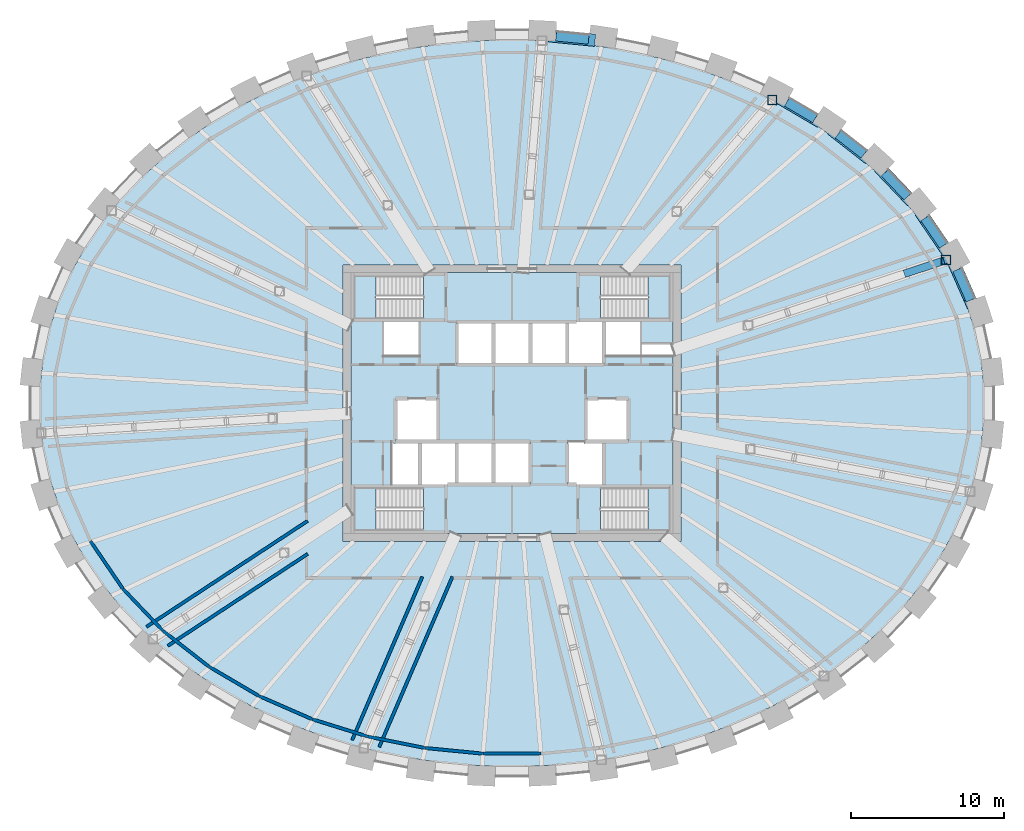
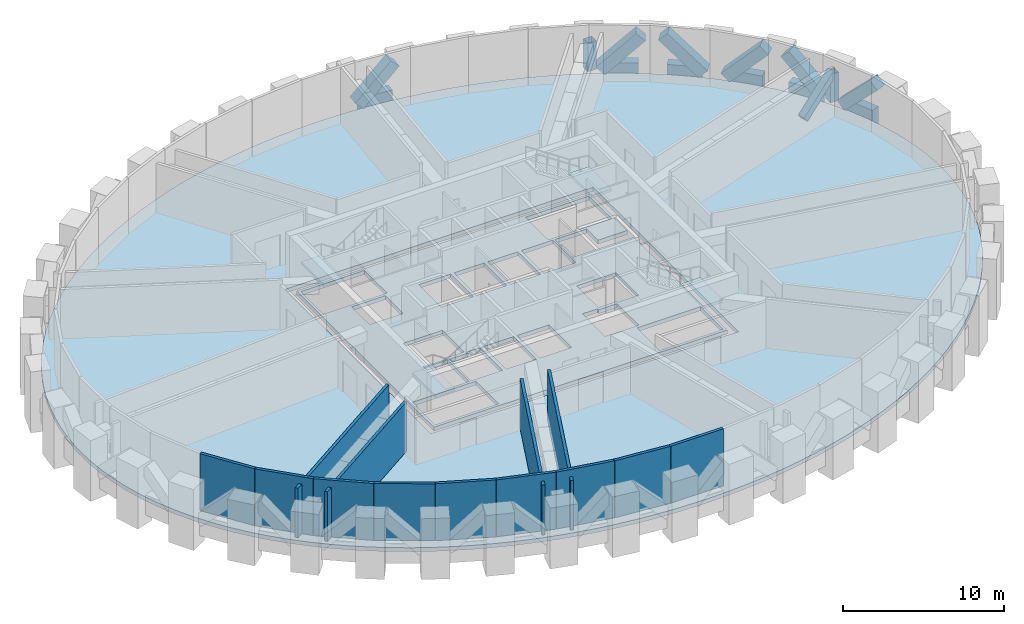
# One storey, part 6 of 12: 13 walls, 9 members, 6 beams, 6 slabs, 4 elements without a shape of their own.
"""IFC4 building model written with IfcOpenShell, lengths in metres."""

from ifc_helpers import new_model, si_unit, direction, frame, frame_2d, origin, origin_2d, place, context, subcontext, project, spatial, polyline, rectangle, hollow_rectangle, outline, extrude, source, transform, mapped, material, layer, layer_set, material_profile, profile_set, type_object, element, aggregate, save


model = new_model("IFC4")

# Units and contexts
model_context = context("Model", 3, precision=1e-05, world=origin(), true_north=direction((0.0, 1.0)))
body_context = subcontext(model_context, "Body", "Model", "MODEL_VIEW")
ifc_project = project(units=[si_unit("LENGTHUNIT", "METRE"), si_unit("AREAUNIT", "SQUARE_METRE"), si_unit("VOLUMEUNIT", "CUBIC_METRE"), si_unit("PLANEANGLEUNIT", "RADIAN"), si_unit("MASSUNIT", "GRAM", prefix="KILO")], contexts=[model_context])

# Site, building, storey
site_placement = place(None, origin())
site = spatial("IfcSite", under=ifc_project, at=site_placement, CompositionType="ELEMENT")
building_placement = place(site_placement, origin())
building = spatial("IfcBuilding", under=site, at=building_placement, Name="Embergate Tower", CompositionType="ELEMENT")
storey_placement = place(building_placement, frame((0.0, 0.0, 289.0)))
storey = spatial("IfcBuildingStorey", under=building, at=storey_placement, Name="L67", CompositionType="ELEMENT", Elevation=289.0)

# Beams
ifc_material_1 = material(Name="Concrete C50", Category="concrete")
ifc_material_profile_1 = material_profile(ifc_material_1, rectangle(XDim=0.60009765625, YDim=1.5, at=origin_2d()), Name="RC 600x1500")
ifc_profile_set_1 = profile_set([ifc_material_profile_1], Name="Concrete C50")
beam_type = type_object("IfcBeamType", Name="Spandrel beam RC 600x1500 C50", PredefinedType="BEAM", material=ifc_profile_set_1)
shared_shape_1 = source(origin(), body_context, "Body", "SweptSolid", [
    extrude(rectangle(XDim=0.60009765625, YDim=1.5, at=origin_2d()), origin(), (0.0, 0.0, 1.0), 2.1669921875),
])
beam_1_placement = place(storey_placement, frame((29.864013671875, 6.708984375, 0.0), z_axis=(-0.401994669844, 0.915642007237, 0.0), x_axis=(-0.915642007237, -0.401994669844, 0.0)))
element("IfcBeam", 1, at=beam_1_placement, inside=storey, type_object=beam_type, Name="SPN-L67-01", PredefinedType="BEAM", context=body_context, shape_type="MappedRepresentation", body=[
    mapped(shared_shape_1, transform((0.0, 0.0, 0.0))),
])
shared_shape_2 = source(origin(), body_context, "Body", "SweptSolid", [
    extrude(rectangle(XDim=0.60009765625, YDim=1.5, at=origin_2d()), origin(), (0.0, 0.0, 1.0), 2.15771484375),
])
beam_2_placement = place(storey_placement, frame((28.10498046875, 10.259033203125, 0.0), z_axis=(-0.562560674067, 0.826756002696, 0.0), x_axis=(-0.826756002696, -0.562560674067, 0.0)))
element("IfcBeam", 2, at=beam_2_placement, inside=storey, type_object=beam_type, Name="SPN-L67-02", PredefinedType="BEAM", context=body_context, shape_type="MappedRepresentation", body=[
    mapped(shared_shape_2, transform((0.0, 0.0, 0.0))),
])
shared_shape_3 = source(origin(), body_context, "Body", "SweptSolid", [
    extrude(rectangle(XDim=0.60009765625, YDim=1.5, at=origin_2d()), origin(), (0.0, 0.0, 1.0), 2.153076171875),
])
beam_3_placement = place(storey_placement, frame((25.760009765625, 13.444091796875, 0.0), z_axis=(-0.690241072709, 0.723579478389, 0.0), x_axis=(-0.723579478389, -0.690241072709, 0.0)))
element("IfcBeam", 3, at=beam_3_placement, inside=storey, type_object=beam_type, Name="SPN-L67-03", PredefinedType="BEAM", context=body_context, shape_type="MappedRepresentation", body=[
    mapped(shared_shape_3, transform((0.0, 0.0, 0.0))),
])
shared_shape_4 = source(origin(), body_context, "Body", "SweptSolid", [
    extrude(rectangle(XDim=0.60009765625, YDim=1.5, at=origin_2d()), origin(), (0.0, 0.0, 1.0), 2.14501953125),
])
beam_4_placement = place(storey_placement, frame((22.926025390625, 16.195068359375, 0.0), z_axis=(-0.788296932823, 0.615295007052, 0.0), x_axis=(-0.615295007052, -0.788296932823, 0.0)))
element("IfcBeam", 4, at=beam_4_placement, inside=storey, type_object=beam_type, Name="SPN-L67-04", PredefinedType="BEAM", context=body_context, shape_type="MappedRepresentation", body=[
    mapped(shared_shape_4, transform((0.0, 0.0, 0.0))),
])
shared_shape_5 = source(origin(), body_context, "Body", "SweptSolid", [
    extrude(rectangle(XDim=0.60009765625, YDim=1.5, at=origin_2d()), origin(), (0.0, 0.0, 1.0), 2.142822265625),
])
beam_5_placement = place(storey_placement, frame((19.74609375, 18.527099609375, 0.0), z_axis=(-0.862063064419, 0.506801019103, 0.0), x_axis=(-0.506801019103, -0.862063064419, 0.0)))
element("IfcBeam", 5, at=beam_5_placement, inside=storey, type_object=beam_type, Name="SPN-L67-05", PredefinedType="BEAM", context=body_context, shape_type="MappedRepresentation", body=[
    mapped(shared_shape_5, transform((0.0, 0.0, 0.0))),
])
shared_shape_6 = source(origin(), body_context, "Body", "SweptSolid", [
    extrude(rectangle(XDim=0.60009765625, YDim=1.5, at=origin_2d()), origin(), (0.0, 0.0, 1.0), 2.13427734375),
])
beam_6_placement = place(storey_placement, frame((4.989990234375, 23.68408203125, 0.0), z_axis=(-0.995194487499, 0.097917986356, 0.0), x_axis=(-0.097917986356, -0.995194487499, 0.0)))
element("IfcBeam", 6, at=beam_6_placement, inside=storey, type_object=beam_type, Name="SPN-L67-09", PredefinedType="BEAM", context=body_context, shape_type="MappedRepresentation", body=[
    mapped(shared_shape_6, transform((0.0, 0.0, 0.0))),
])

# Members
ifc_material_2 = material(Name="Steel Q355B", Category="steel")
ifc_material_profile_2 = material_profile(ifc_material_2, hollow_rectangle(XDim=0.60009765625, YDim=0.60009765625, WallThickness=0.028076171875, at=origin_2d()), Name="BOX 600x600x28")
ifc_profile_set_2 = profile_set([ifc_material_profile_2], Name="Steel Q355 grade B")
member_type_1 = type_object("IfcMemberType", Name="Outrigger post BOX 600x600x28", PredefinedType="POST", material=ifc_profile_set_2)
shared_shape_7 = source(origin(), body_context, "Body", "SweptSolid", [
    extrude(hollow_rectangle(XDim=0.60009765625, YDim=0.60009765625, WallThickness=0.028076171875, at=origin_2d()), origin(), (0.0, 0.0, 1.0), 2.150146484375),
])
for number, where, z_axis, x_axis, name in (
    (7, (28.280029296875, 9.325927734375, 0.39990234375), (0.0, 0.0, 1.0), (1.0, 0.0, 0.0), "OUT-L67-02-PO05"),
    (8, (16.958984375, 19.748046875, 0.39990234375), (0.0, 0.0, 1.0), (1.0, 0.0, 0.0), "OUT-L67-06-PO03"),
):
    element("IfcMember", number, at=place(storey_placement, frame(where, z_axis=z_axis, x_axis=x_axis)), inside=storey, type_object=member_type_1, Name=name, PredefinedType="POST", context=body_context, shape_type="MappedRepresentation", body=[
        mapped(shared_shape_7, transform((0.0, 0.0, 0.0))),
    ])
ifc_material_profile_3 = material_profile(ifc_material_2, hollow_rectangle(XDim=0.5, YDim=0.5, WallThickness=0.02490234375, at=origin_2d()), Name="BOX 500x500x25")
ifc_profile_set_3 = profile_set([ifc_material_profile_3], Name="Steel Q355 grade B")
member_type_2 = type_object("IfcMemberType", Name="Outrigger diagonal BOX 500x500x25", PredefinedType="BRACE", material=ifc_profile_set_3)
shared_shape_8 = source(origin(), body_context, "Body", "SweptSolid", [
    extrude(hollow_rectangle(XDim=0.5, YDim=0.5, WallThickness=0.02490234375, at=origin_2d()), origin(), (0.0, 0.0, 1.0), 3.466064453125),
])
member_1_placement = place(storey_placement, frame((25.697998046875, 8.47509765625, 0.39990234375), z_axis=(0.744936060618, 0.245471082759, 0.620333952899), x_axis=(-0.312966023422, 0.949764322442, 0.0)))
element("IfcMember", 9, at=member_1_placement, inside=storey, type_object=member_type_2, Name="OUT-L67-02-DG04", PredefinedType="BRACE", context=body_context, shape_type="MappedRepresentation", body=[
    mapped(shared_shape_8, transform((0.0, 0.0, 0.0))),
])
ifc_material_3 = material(Name="Concrete C70", Category="concrete")
ifc_material_profile_4 = material_profile(ifc_material_3, rectangle(XDim=0.800048828125, YDim=0.800048828125, at=origin_2d()), Name="RC 800x800")
ifc_profile_set_4 = profile_set([ifc_material_profile_4], Name="Concrete C70")
member_type_3 = type_object("IfcMemberType", Name="Belt ring diagonal RC 800x800", PredefinedType="BRACE", material=ifc_profile_set_4)
shared_shape_9 = source(origin(), body_context, "Body", "SweptSolid", [
    extrude(rectangle(XDim=0.800048828125, YDim=0.800048828125, at=origin_2d()), origin(), (0.0, 0.0, 1.0), 3.60302734375),
])
member_2_placement = place(storey_placement, frame((28.903076171875, 8.89892578125, 0.2060546875), z_axis=(0.282489552157, -0.643580179033, 0.711339726205), x_axis=(0.915674320086, 0.401921061322, 0.0)))
element("IfcMember", 10, at=member_2_placement, inside=storey, type_object=member_type_3, Name="BLT-L67-01", PredefinedType="BRACE", context=body_context, shape_type="MappedRepresentation", body=[
    mapped(shared_shape_9, transform((0.0, 0.0, 0.0))),
])
shared_shape_10 = source(origin(), body_context, "Body", "SweptSolid", [
    extrude(rectangle(XDim=0.800048828125, YDim=0.800048828125, at=origin_2d()), origin(), (0.0, 0.0, 1.0), 3.597900390625),
])
member_3_placement = place(storey_placement, frame((28.18408203125, 10.14306640625, 0.2900390625), z_axis=(-0.394460450142, 0.579781538966, 0.712919574951), x_axis=(-0.826787888734, -0.562513810535, 0.0)))
element("IfcMember", 11, at=member_3_placement, inside=storey, type_object=member_type_3, Name="BLT-L67-02", PredefinedType="BRACE", context=body_context, shape_type="MappedRepresentation", body=[
    mapped(shared_shape_10, transform((0.0, 0.0, 0.0))),
])
shared_shape_11 = source(origin(), body_context, "Body", "SweptSolid", [
    extrude(rectangle(XDim=0.800048828125, YDim=0.800048828125, at=origin_2d()), origin(), (0.0, 0.0, 1.0), 3.59375),
])
member_4_placement = place(storey_placement, frame((24.118896484375, 15.1640625, 0.205078125), z_axis=(0.483611560702, -0.506708615153, 0.713698982544), x_axis=(0.723401780179, 0.690427305684, 0.0)))
element("IfcMember", 12, at=member_4_placement, inside=storey, type_object=member_type_3, Name="BLT-L67-03", PredefinedType="BRACE", context=body_context, shape_type="MappedRepresentation", body=[
    mapped(shared_shape_11, transform((0.0, 0.0, 0.0))),
])
shared_shape_12 = source(origin(), body_context, "Body", "SweptSolid", [
    extrude(rectangle(XDim=0.800048828125, YDim=0.800048828125, at=origin_2d()), origin(), (0.0, 0.0, 1.0), 3.608642578125),
])
member_5_placement = place(storey_placement, frame((23.035888671875, 16.10888671875, 0.2900390625), z_axis=(-0.550851328961, 0.4300862071, 0.715254267966), x_axis=(-0.615407307632, -0.788209265178, 0.0)))
element("IfcMember", 13, at=member_5_placement, inside=storey, type_object=member_type_3, Name="BLT-L67-04", PredefinedType="BRACE", context=body_context, shape_type="MappedRepresentation", body=[
    mapped(shared_shape_12, transform((0.0, 0.0, 0.0))),
])
shared_shape_13 = source(origin(), body_context, "Body", "SweptSolid", [
    extrude(rectangle(XDim=0.800048828125, YDim=0.800048828125, at=origin_2d()), origin(), (0.0, 0.0, 1.0), 3.587158203125),
])
member_6_placement = place(storey_placement, frame((17.7060546875, 19.72607421875, 0.2041015625), z_axis=(0.602137183008, -0.354054213407, 0.715595155663), x_axis=(0.50686682448, 0.862024374505, 0.0)))
element("IfcMember", 14, at=member_6_placement, inside=storey, type_object=member_type_3, Name="BLT-L67-05", PredefinedType="BRACE", context=body_context, shape_type="MappedRepresentation", body=[
    mapped(shared_shape_13, transform((0.0, 0.0, 0.0))),
])
shared_shape_14 = source(origin(), body_context, "Body", "SweptSolid", [
    extrude(rectangle(XDim=0.800048828125, YDim=0.800048828125, at=origin_2d()), origin(), (0.0, 0.0, 1.0), 3.501708984375),
])
member_7_placement = place(storey_placement, frame((2.699951171875, 23.908935546875, 0.260009765625), z_axis=(0.693647427759, -0.068256189745, 0.717073454065), x_axis=(0.097928872709, 0.995193416322, 0.0)))
element("IfcMember", 15, at=member_7_placement, inside=storey, type_object=member_type_3, Name="BLT-L67-09", PredefinedType="BRACE", context=body_context, shape_type="MappedRepresentation", body=[
    mapped(shared_shape_14, transform((0.0, 0.0, 0.0))),
])

# Slab
ifc_layer_1 = layer(ifc_material_1, 0.300048828125)
ifc_layer_set_1 = layer_set([ifc_layer_1], Name="Concrete C50")
slab_type_1 = type_object("IfcSlabType", Name="Plant floor slab C50 300", PredefinedType="FLOOR", material=ifc_layer_set_1)
shared_shape_15 = source(origin(), body_context, "Body", "SweptSolid", [
    extrude(outline(polyline([(0.0, 0.0), (1.3017578125, 0.0), (2.601806640625, 0.04296875), (3.90283203125, 0.128173828125), (5.197998046875, 0.255126953125), (6.48486328125, 0.424072265625), (7.77392578125, 0.63818359375), (9.0498046875, 0.89404296875), (10.310791015625, 1.192138671875), (11.573974609375, 1.537109375), (12.81591796875, 1.923095703125), (14.035888671875, 2.35205078125), (15.2568359375, 2.83203125), (16.448974609375, 3.35302734375), (17.60986328125, 3.9150390625), (18.769775390625, 4.5341796875), (19.891845703125, 5.193115234375), (20.972900390625, 5.89208984375), (22.046875, 6.654052734375), (23.07177734375, 7.4541015625), (24.046875, 8.291015625), (25.00390625, 9.197998046875), (25.90185546875, 10.13916015625), (26.73779296875, 11.113037109375), (27.540771484375, 12.1591796875), (28.27197265625, 13.234130859375), (28.930908203125, 14.337158203125), (29.533935546875, 15.505126953125), (30.056884765625, 16.696044921875), (30.495849609375, 17.906005859375), (30.85888671875, 19.1640625), (31.1318359375, 20.43505859375), (31.31591796875, 21.715087890625), (31.407958984375, 23.01318359375), (31.407958984375, 24.31298828125), (31.31591796875, 25.611083984375), (31.1318359375, 26.89111328125), (30.85888671875, 28.162109375), (30.495849609375, 29.420166015625), (30.056884765625, 30.630126953125), (29.533935546875, 31.821044921875), (28.930908203125, 32.989013671875), (28.27197265625, 34.092041015625), (27.540771484375, 35.1669921875), (26.73779296875, 36.213134765625), (25.90185546875, 37.18701171875), (25.00390625, 38.128173828125), (24.046875, 39.03515625), (23.07177734375, 39.8720703125), (22.046875, 40.672119140625), (20.972900390625, 41.43408203125), (19.891845703125, 42.133056640625), (18.769775390625, 42.7919921875), (17.60986328125, 43.4111328125), (16.448974609375, 43.97314453125), (15.2568359375, 44.494140625), (14.035888671875, 44.97412109375), (12.81591796875, 45.403076171875), (11.573974609375, 45.7890625), (10.310791015625, 46.134033203125), (9.0498046875, 46.43212890625), (7.77392578125, 46.68798828125), (6.48486328125, 46.902099609375), (5.197998046875, 47.071044921875), (3.90283203125, 47.197998046875), (2.601806640625, 47.283203125), (1.3017578125, 47.326171875), (0.0, 47.326171875), (-1.300048828125, 47.283203125), (-2.60107421875, 47.197998046875), (-3.896240234375, 47.071044921875), (-5.18310546875, 46.902099609375), (-6.47216796875, 46.68798828125), (-7.748046875, 46.43212890625), (-9.009033203125, 46.134033203125), (-10.272216796875, 45.7890625), (-11.51416015625, 45.403076171875), (-12.734130859375, 44.97412109375), (-13.955078125, 44.494140625), (-15.147216796875, 43.97314453125), (-16.30810546875, 43.4111328125), (-17.468017578125, 42.7919921875), (-18.590087890625, 42.133056640625), (-19.671142578125, 41.43408203125), (-20.7451171875, 40.672119140625), (-21.77001953125, 39.8720703125), (-22.7451171875, 39.03515625), (-23.7021484375, 38.128173828125), (-24.60009765625, 37.18701171875), (-25.43603515625, 36.213134765625), (-26.239013671875, 35.1669921875), (-26.97021484375, 34.092041015625), (-27.629150390625, 32.989013671875), (-28.232177734375, 31.821044921875), (-28.755126953125, 30.630126953125), (-29.194091796875, 29.420166015625), (-29.55712890625, 28.162109375), (-29.830078125, 26.89111328125), (-30.01416015625, 25.611083984375), (-30.106201171875, 24.31298828125), (-30.106201171875, 23.01318359375), (-30.01416015625, 21.715087890625), (-29.830078125, 20.43505859375), (-29.55712890625, 19.1640625), (-29.194091796875, 17.906005859375), (-28.755126953125, 16.696044921875), (-28.232177734375, 15.505126953125), (-27.629150390625, 14.337158203125), (-26.97021484375, 13.234130859375), (-26.239013671875, 12.1591796875), (-25.43603515625, 11.113037109375), (-24.60009765625, 10.13916015625), (-23.7021484375, 9.197998046875), (-22.7451171875, 8.291015625), (-21.77001953125, 7.4541015625), (-20.7451171875, 6.654052734375), (-19.671142578125, 5.89208984375), (-18.590087890625, 5.193115234375), (-17.468017578125, 4.5341796875), (-16.30810546875, 3.9150390625), (-15.147216796875, 3.35302734375), (-13.955078125, 2.83203125), (-12.734130859375, 2.35205078125), (-11.51416015625, 1.923095703125), (-10.272216796875, 1.537109375), (-9.009033203125, 1.192138671875), (-7.748046875, 0.89404296875), (-6.47216796875, 0.63818359375), (-5.18310546875, 0.424072265625), (-3.896240234375, 0.255126953125), (-2.60107421875, 0.128173828125), (-1.300048828125, 0.04296875), (0.0, 0.0)]), holes=[polyline([(-10.34912109375, 14.6630859375), (-10.34912109375, 32.6630859375), (11.65087890625, 32.6630859375), (11.65087890625, 14.6630859375), (-10.34912109375, 14.6630859375)])]), origin(), (0.0, 0.0, 1.0), 0.300048828125),
])
slab_1_placement = place(storey_placement, frame((-0.65087890625, -23.6630859375, -0.300048828125)))
element("IfcSlab", 16, at=slab_1_placement, inside=storey, type_object=slab_type_1, Name="SLB-L67-00", PredefinedType="FLOOR", context=body_context, shape_type="MappedRepresentation", body=[
    mapped(shared_shape_15, transform((0.0, 0.0, 0.0))),
])

# Stair, slab
ifc_material_4 = material(Name="Exit stair")
stair_type = type_object("IfcStairType", Name="Exit stair", PredefinedType="HALF_TURN_STAIR", material=ifc_material_4)
stair_1_placement = place(storey_placement, origin())
stair_1 = element("IfcStair", 17, at=stair_1_placement, inside=storey, type_object=stair_type, Name="L67 Exit stair 1", PredefinedType="HALF_TURN_STAIR")
ifc_material_5 = material(Name="Concrete C40", Category="concrete")
ifc_layer_2 = layer(ifc_material_5, 0.199951171875)
ifc_layer_set_2 = layer_set([ifc_layer_2], Name="Concrete C40")
slab_type_2 = type_object("IfcSlabType", Name="Stair landing reinforced concrete", PredefinedType="LANDING", material=ifc_layer_set_2)
shared_shape_16 = source(origin(), body_context, "Body", "SweptSolid", [
    extrude(outline(polyline([(0.0, 0.0), (1.429931640625, 0.0), (1.429931640625, 2.800048828125), (0.0, 2.800048828125), (0.0, 0.0)])), origin(), (0.0, 0.0, 1.0), 0.199951171875),
])
slab_2_placement = place(storey_placement, frame((-10.300048828125, 5.5, 2.050048828125)))
slab_2 = element("IfcSlab", 18, at=slab_2_placement, type_object=slab_type_2, Name="ST1 landing 1", PredefinedType="LANDING", context=body_context, shape_type="MappedRepresentation", body=[
    mapped(shared_shape_16, transform((0.0, 0.0, 0.0))),
])
aggregate(stair_1, [slab_2])

stair_2_placement = place(storey_placement, origin())
stair_2 = element("IfcStair", 19, at=stair_2_placement, inside=storey, type_object=stair_type, Name="L67 Exit stair 2", PredefinedType="HALF_TURN_STAIR")
slab_3_placement = place(storey_placement, frame((8.8701171875, 5.5, 2.050048828125)))
slab_3 = element("IfcSlab", 20, at=slab_3_placement, type_object=slab_type_2, Name="ST2 landing 1", PredefinedType="LANDING", context=body_context, shape_type="MappedRepresentation", body=[
    mapped(shared_shape_16, transform((0.0, 0.0, 0.0))),
])
aggregate(stair_2, [slab_3])

stair_3_placement = place(storey_placement, origin())
stair_3 = element("IfcStair", 21, at=stair_3_placement, inside=storey, type_object=stair_type, Name="L67 Exit stair 3", PredefinedType="HALF_TURN_STAIR")
slab_4_placement = place(storey_placement, frame((-10.300048828125, -8.300048828125, 2.050048828125)))
slab_4 = element("IfcSlab", 22, at=slab_4_placement, type_object=slab_type_2, Name="ST3 landing 1", PredefinedType="LANDING", context=body_context, shape_type="MappedRepresentation", body=[
    mapped(shared_shape_16, transform((0.0, 0.0, 0.0))),
])
aggregate(stair_3, [slab_4])

stair_4_placement = place(storey_placement, origin())
stair_4 = element("IfcStair", 23, at=stair_4_placement, inside=storey, type_object=stair_type, Name="L67 Exit stair 4", PredefinedType="HALF_TURN_STAIR")
slab_5_placement = place(storey_placement, frame((8.8701171875, -8.300048828125, 2.050048828125)))
slab_5 = element("IfcSlab", 24, at=slab_5_placement, type_object=slab_type_2, Name="ST4 landing 1", PredefinedType="LANDING", context=body_context, shape_type="MappedRepresentation", body=[
    mapped(shared_shape_16, transform((0.0, 0.0, 0.0))),
])
aggregate(stair_4, [slab_5])

# Slab
ifc_layer_3 = layer(ifc_material_5, 0.300048828125)
ifc_layer_set_3 = layer_set([ifc_layer_3], Name="Concrete C40")
slab_type_3 = type_object("IfcSlabType", Name="Core floor slab 300 reinforced concrete", PredefinedType="FLOOR", material=ifc_layer_set_3)
shared_shape_17 = source(origin(), body_context, "Body", "SweptSolid", [
    extrude(outline(polyline([(0.0, 0.0), (21.0, 0.0), (21.0, 11.60009765625), (18.89990234375, 11.60009765625), (16.625, 11.60009765625), (16.625, 13.800048828125), (18.89990234375, 13.800048828125), (18.89990234375, 12.39990234375), (21.0, 12.39990234375), (21.0, 17.0), (0.0, 17.0), (0.0, 0.0)]), holes=[polyline([(0.199951171875, 0.199951171875), (0.199951171875, 3.0), (4.739990234375, 3.0), (4.739990234375, 0.199951171875), (0.199951171875, 0.199951171875)]), polyline([(16.260009765625, 0.199951171875), (16.260009765625, 3.0), (20.800048828125, 3.0), (20.800048828125, 0.199951171875), (16.260009765625, 0.199951171875)]), polyline([(2.699951171875, 3.199951171875), (2.699951171875, 6.0), (2.77490234375, 6.0), (2.77490234375, 5.875), (4.375, 5.875), (4.375, 3.199951171875), (2.699951171875, 3.199951171875)]), polyline([(4.5, 3.199951171875), (4.5, 5.875), (5.824951171875, 5.875), (5.824951171875, 6.0), (6.77490234375, 6.0), (6.77490234375, 3.199951171875), (4.5, 3.199951171875)]), polyline([(7.02490234375, 3.199951171875), (7.02490234375, 6.0), (9.175048828125, 6.0), (9.175048828125, 3.199951171875), (7.02490234375, 3.199951171875)]), polyline([(9.425048828125, 3.199951171875), (9.425048828125, 6.0), (11.699951171875, 6.0), (11.699951171875, 3.199951171875), (9.425048828125, 3.199951171875)]), polyline([(14.10009765625, 3.199951171875), (14.10009765625, 6.0), (15.175048828125, 6.0), (15.175048828125, 5.875), (16.5, 5.875), (16.5, 3.199951171875), (14.10009765625, 3.199951171875)]), polyline([(2.89990234375, 6.0), (2.89990234375, 8.800048828125), (5.699951171875, 8.800048828125), (5.699951171875, 6.125), (4.375, 6.125), (4.375, 6.0), (2.89990234375, 6.0)]), polyline([(16.625, 6.0), (16.625, 6.125), (15.300048828125, 6.125), (15.300048828125, 8.800048828125), (18.10009765625, 8.800048828125), (18.10009765625, 6.0), (16.625, 6.0)]), polyline([(6.89990234375, 11.0), (6.89990234375, 13.800048828125), (9.175048828125, 13.800048828125), (9.175048828125, 11.0), (6.89990234375, 11.0)]), polyline([(9.425048828125, 11.0), (9.425048828125, 13.800048828125), (11.574951171875, 13.800048828125), (11.574951171875, 11.0), (9.425048828125, 11.0)]), polyline([(11.824951171875, 11.0), (11.824951171875, 13.800048828125), (13.97509765625, 13.800048828125), (13.97509765625, 11.0), (11.824951171875, 11.0)]), polyline([(14.22509765625, 11.0), (14.22509765625, 13.800048828125), (16.5, 13.800048828125), (16.5, 11.0), (14.22509765625, 11.0)]), polyline([(2.10009765625, 11.60009765625), (2.10009765625, 13.800048828125), (4.5, 13.800048828125), (4.5, 11.60009765625), (2.10009765625, 11.60009765625)]), polyline([(0.199951171875, 14.0), (0.199951171875, 16.800048828125), (4.739990234375, 16.800048828125), (4.739990234375, 14.0), (0.199951171875, 14.0)]), polyline([(16.260009765625, 14.0), (16.260009765625, 16.800048828125), (20.800048828125, 16.800048828125), (20.800048828125, 14.0), (16.260009765625, 14.0)])]), origin(), (0.0, 0.0, 1.0), 0.300048828125),
])
slab_6_placement = place(storey_placement, frame((-10.5, -8.5, -0.300048828125)))
element("IfcSlab", 25, at=slab_6_placement, inside=storey, type_object=slab_type_3, Name="Core floor slab", PredefinedType="FLOOR", context=body_context, shape_type="MappedRepresentation", body=[
    mapped(shared_shape_17, transform((0.0, 0.0, 0.0))),
])

# Walls
ifc_material_6 = material(Name="Terracotta louvre cladding on insulated backing", Category="masonry")
ifc_layer_4 = layer(ifc_material_6, 0.199951171875)
ifc_layer_set_4 = layer_set([ifc_layer_4], Name="Terracotta louvre cladding on insulated backing")
wall_type_1 = type_object("IfcWallType", Name="Terracotta louvre wall", PredefinedType="SOLIDWALL", material=ifc_layer_set_4)
shared_shape_18 = source(origin(), body_context, "Body", "SweptSolid", [
    extrude(rectangle(XDim=3.7451171875, YDim=0.199951171875, at=frame_2d((1.87255859375, 0.0))), origin(), (0.0, 0.0, 1.0), 4.300048828125),
])
wall_1_placement = place(storey_placement, frame((-25.35546875, -12.083984375, 0.0), z_axis=(0.0, 0.0, 1.0), x_axis=(-0.562318936697, 0.826920439602, 0.0)))
element("IfcWall", 26, at=wall_1_placement, inside=storey, type_object=wall_type_1, Name="Louvre wall 25", PredefinedType="SOLIDWALL", context=body_context, shape_type="MappedRepresentation", body=[
    mapped(shared_shape_18, transform((0.0, 0.0, 0.0))),
])
shared_shape_19 = source(origin(), body_context, "Body", "SweptSolid", [
    extrude(rectangle(XDim=3.75390625, YDim=0.199951171875, at=frame_2d((1.876953125, 0.0))), origin(), (0.0, 0.0, 1.0), 4.300048828125),
])
wall_2_placement = place(storey_placement, frame((-22.752197265625, -14.81591796875, 0.0), z_axis=(0.0, 0.0, 1.0), x_axis=(-0.690161680949, 0.723655203913, 0.0)))
element("IfcWall", 27, at=wall_2_placement, inside=storey, type_object=wall_type_1, Name="Louvre wall 26", PredefinedType="SOLIDWALL", context=body_context, shape_type="MappedRepresentation", body=[
    mapped(shared_shape_19, transform((0.0, 0.0, 0.0))),
])
shared_shape_20 = source(origin(), body_context, "Body", "SweptSolid", [
    extrude(rectangle(XDim=3.760986328125, YDim=0.199951171875, at=frame_2d((1.88037109375, 0.0))), origin(), (0.0, 0.0, 1.0), 4.300048828125),
])
wall_3_placement = place(storey_placement, frame((-19.772705078125, -17.143310546875, 0.0), z_axis=(0.0, 0.0, 1.0), x_axis=(-0.788291977809, 0.615301355209, 0.0)))
element("IfcWall", 28, at=wall_3_placement, inside=storey, type_object=wall_type_1, Name="Louvre wall 27", PredefinedType="SOLIDWALL", context=body_context, shape_type="MappedRepresentation", body=[
    mapped(shared_shape_20, transform((0.0, 0.0, 0.0))),
])
shared_shape_21 = source(origin(), body_context, "Body", "SweptSolid", [
    extrude(rectangle(XDim=3.76708984375, YDim=0.199951171875, at=frame_2d((1.883544921875, 0.0))), origin(), (0.0, 0.0, 1.0), 4.300048828125),
])
wall_4_placement = place(storey_placement, frame((-16.508544921875, -19.063720703125, 0.0), z_axis=(0.0, 0.0, 1.0), x_axis=(-0.86206746529, 0.506793533195, 0.0)))
element("IfcWall", 29, at=wall_4_placement, inside=storey, type_object=wall_type_1, Name="Louvre wall 28", PredefinedType="SOLIDWALL", context=body_context, shape_type="MappedRepresentation", body=[
    mapped(shared_shape_21, transform((0.0, 0.0, 0.0))),
])
shared_shape_22 = source(origin(), body_context, "Body", "SweptSolid", [
    extrude(rectangle(XDim=3.771728515625, YDim=0.199951171875, at=frame_2d((1.8857421875, 0.0))), origin(), (0.0, 0.0, 1.0), 4.300048828125),
])
wall_5_placement = place(storey_placement, frame((-13.03515625, -20.583984375, 0.0), z_axis=(0.0, 0.0, 1.0), x_axis=(-0.916247932971, 0.400611688955, 0.0)))
element("IfcWall", 30, at=wall_5_placement, inside=storey, type_object=wall_type_1, Name="Louvre wall 29", PredefinedType="SOLIDWALL", context=body_context, shape_type="MappedRepresentation", body=[
    mapped(shared_shape_22, transform((0.0, 0.0, 0.0))),
])
shared_shape_23 = source(origin(), body_context, "Body", "SweptSolid", [
    extrude(rectangle(XDim=3.77490234375, YDim=0.199951171875, at=frame_2d((1.887451171875, 0.0))), origin(), (0.0, 0.0, 1.0), 4.300048828125),
])
wall_6_placement = place(storey_placement, frame((-9.412109375, -21.71337890625, 0.0), z_axis=(0.0, 0.0, 1.0), x_axis=(-0.954763782536, 0.297365296491, 0.0)))
element("IfcWall", 31, at=wall_6_placement, inside=storey, type_object=wall_type_1, Name="Louvre wall 30", PredefinedType="SOLIDWALL", context=body_context, shape_type="MappedRepresentation", body=[
    mapped(shared_shape_23, transform((0.0, 0.0, 0.0))),
])
shared_shape_24 = source(origin(), body_context, "Body", "SweptSolid", [
    extrude(rectangle(XDim=3.777099609375, YDim=0.199951171875, at=frame_2d((1.888671875, 0.0))), origin(), (0.0, 0.0, 1.0), 4.300048828125),
])
wall_7_placement = place(storey_placement, frame((-5.689453125, -22.461181640625, 0.0), z_axis=(0.0, 0.0, 1.0), x_axis=(-0.980466152675, 0.196687883354, 0.0)))
element("IfcWall", 32, at=wall_7_placement, inside=storey, type_object=wall_type_1, Name="Louvre wall 31", PredefinedType="SOLIDWALL", context=body_context, shape_type="MappedRepresentation", body=[
    mapped(shared_shape_24, transform((0.0, 0.0, 0.0))),
])
shared_shape_25 = source(origin(), body_context, "Body", "SweptSolid", [
    extrude(rectangle(XDim=3.7783203125, YDim=0.199951171875, at=frame_2d((1.88916015625, 0.0))), origin(), (0.0, 0.0, 1.0), 4.300048828125),
])
wall_8_placement = place(storey_placement, frame((-1.909423828125, -22.833740234375, 0.0), z_axis=(0.0, 0.0, 1.0), x_axis=(-0.995203394133, 0.097827421031, 0.0)))
element("IfcWall", 33, at=wall_8_placement, inside=storey, type_object=wall_type_1, Name="Louvre wall 32", PredefinedType="SOLIDWALL", context=body_context, shape_type="MappedRepresentation", body=[
    mapped(shared_shape_25, transform((0.0, 0.0, 0.0))),
])
shared_shape_26 = source(origin(), body_context, "Body", "SweptSolid", [
    extrude(rectangle(XDim=3.77880859375, YDim=0.199951171875, at=frame_2d((1.889404296875, 0.0))), origin(), (0.0, 0.0, 1.0), 4.300048828125),
])
wall_9_placement = place(storey_placement, frame((1.889404296875, -22.834716796875, 0.0), z_axis=(0.0, 0.0, 1.0), x_axis=(-1.0, 0.0, 0.0)))
element("IfcWall", 34, at=wall_9_placement, inside=storey, type_object=wall_type_1, Name="Louvre wall 33", PredefinedType="SOLIDWALL", context=body_context, shape_type="MappedRepresentation", body=[
    mapped(shared_shape_26, transform((0.0, 0.0, 0.0))),
])
ifc_material_7 = material(Name="Blockwork, plastered", Category="masonry")
ifc_layer_5 = layer(ifc_material_7, 0.199951171875)
ifc_layer_set_5 = layer_set([ifc_layer_5], Name="Blockwork, plastered")
wall_type_2 = type_object("IfcWallType", Name="Fire partition wall 200 block", PredefinedType="PARTITIONING", material=ifc_layer_set_5)
shared_shape_27 = source(origin(), body_context, "Body", "SweptSolid", [
    extrude(rectangle(XDim=10.8994140625, YDim=0.199951171875, at=frame_2d((5.44970703125, 0.0))), origin(), (0.0, 0.0, 1.0), 3.75),
])
wall_10_placement = place(storey_placement, frame((-22.425048828125, -15.81103515625, 0.0), z_axis=(0.0, 0.0, 1.0), x_axis=(0.835743073957, 0.549120673744, 0.0)))
element("IfcWall", 35, at=wall_10_placement, inside=storey, type_object=wall_type_2, Name="Partition 003", PredefinedType="PARTITIONING", context=body_context, shape_type="MappedRepresentation", body=[
    mapped(shared_shape_27, transform((0.0, 0.0, 0.0))),
])
shared_shape_28 = source(origin(), body_context, "Body", "SweptSolid", [
    extrude(rectangle(XDim=12.556396484375, YDim=0.199951171875, at=frame_2d((6.2783203125, 0.0))), origin(), (0.0, 0.0, 1.0), 3.75),
])
wall_11_placement = place(storey_placement, frame((-13.31591796875, -7.672119140625, 0.0), z_axis=(0.0, 0.0, 1.0), x_axis=(-0.835755703178, -0.549101452016, 0.0)))
element("IfcWall", 36, at=wall_11_placement, inside=storey, type_object=wall_type_2, Name="Partition 006", PredefinedType="PARTITIONING", context=body_context, shape_type="MappedRepresentation", body=[
    mapped(shared_shape_28, transform((0.0, 0.0, 0.0))),
])
shared_shape_29 = source(origin(), body_context, "Body", "SweptSolid", [
    extrude(rectangle(XDim=12.075439453125, YDim=0.199951171875, at=frame_2d((6.03759765625, 0.0))), origin(), (0.0, 0.0, 1.0), 3.75),
])
wall_12_placement = place(storey_placement, frame((-8.65087890625, -22.402099609375, 0.0), z_axis=(0.0, 0.0, 1.0), x_axis=(0.394914620711, 0.918717825205, 0.0)))
element("IfcWall", 37, at=wall_12_placement, inside=storey, type_object=wall_type_2, Name="Partition 013", PredefinedType="PARTITIONING", context=body_context, shape_type="MappedRepresentation", body=[
    mapped(shared_shape_29, transform((0.0, 0.0, 0.0))),
])
shared_shape_30 = source(origin(), body_context, "Body", "SweptSolid", [
    extrude(rectangle(XDim=11.587646484375, YDim=0.199951171875, at=frame_2d((5.7939453125, 0.0))), origin(), (0.0, 0.0, 1.0), 3.75),
])
wall_13_placement = place(storey_placement, frame((-5.841064453125, -11.30810546875, 0.0), z_axis=(0.0, 0.0, 1.0), x_axis=(-0.39489296568, -0.918727133406, 0.0)))
element("IfcWall", 38, at=wall_13_placement, inside=storey, type_object=wall_type_2, Name="Partition 017", PredefinedType="PARTITIONING", context=body_context, shape_type="MappedRepresentation", body=[
    mapped(shared_shape_30, transform((0.0, 0.0, 0.0))),
])

save(model, "model.ifc")
